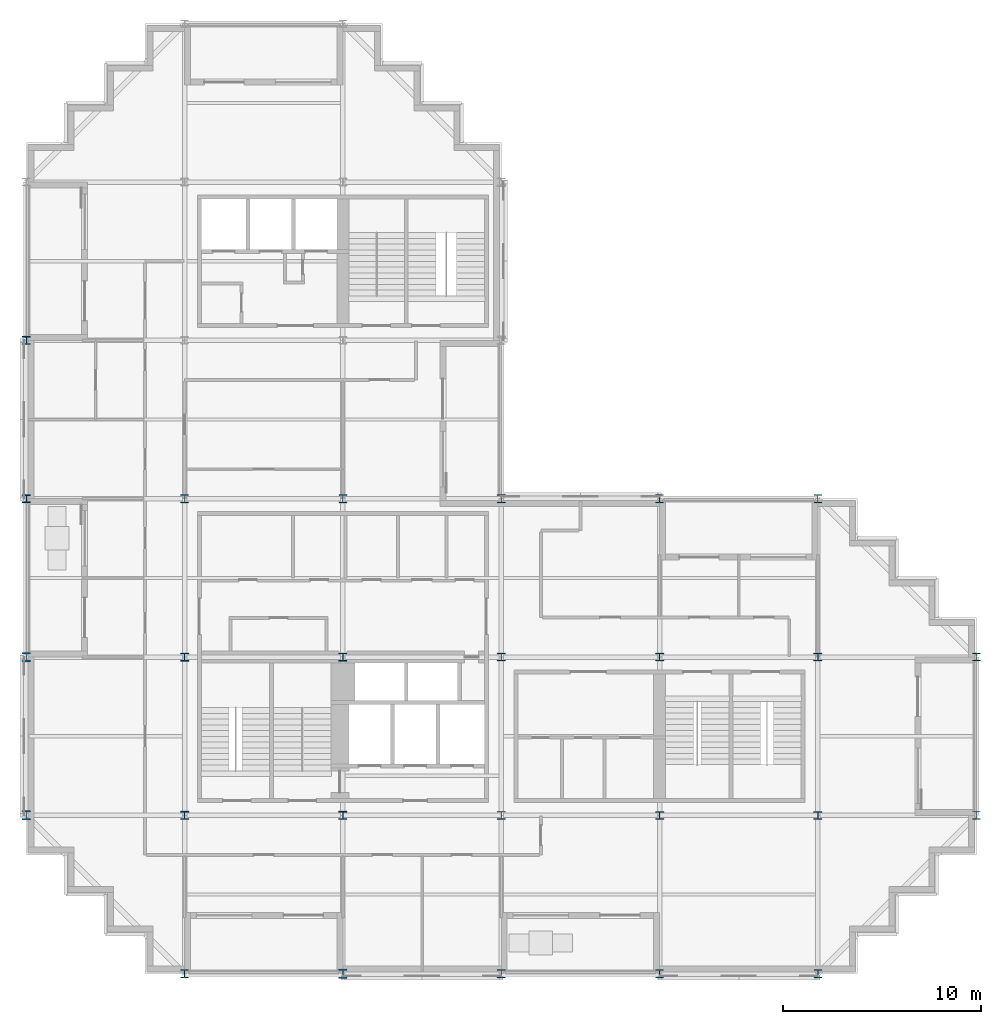
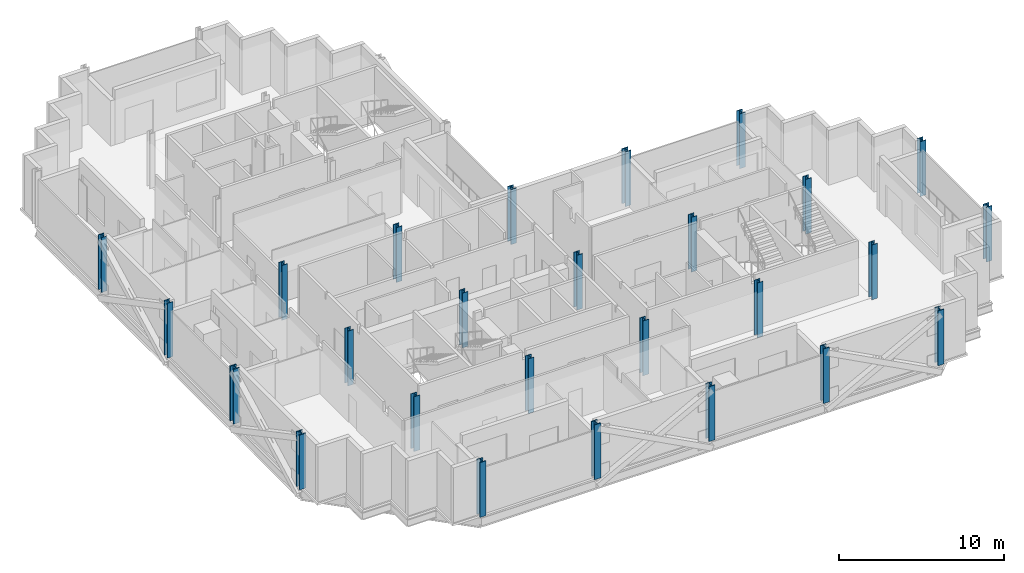
# One storey, part 1 of 12: 26 columns.
"""IFC4 building model written with IfcOpenShell, lengths in metres."""

from ifc_helpers import new_model, si_unit, direction, frame, origin, origin_2d, place, context, subcontext, project, spatial, i_section, extrude, material, material_profile, profile_set, type_object, element, save


model = new_model("IFC4")

# Units and contexts
model_context = context("Model", 3, precision=1e-05, world=origin(), true_north=direction((0.0, 1.0)))
body_context = subcontext(model_context, "Body", "Model", "MODEL_VIEW")
ifc_project = project(units=[si_unit("LENGTHUNIT", "METRE"), si_unit("AREAUNIT", "SQUARE_METRE"), si_unit("VOLUMEUNIT", "CUBIC_METRE"), si_unit("PLANEANGLEUNIT", "RADIAN"), si_unit("MASSUNIT", "GRAM", prefix="KILO")], contexts=[model_context])

# Site, building, storey
site_placement = place(None, origin())
site = spatial("IfcSite", under=ifc_project, at=site_placement, CompositionType="ELEMENT")
building_placement = place(site_placement, origin())
building = spatial("IfcBuilding", under=site, at=building_placement, Name="Immortelle Media Tower", CompositionType="ELEMENT")
storey_placement = place(building_placement, frame((0.0, 0.0, 149.39990234375)))
storey = spatial("IfcBuildingStorey", under=building, at=storey_placement, Name="L30", CompositionType="ELEMENT", Elevation=149.39990234375)

# Columns
ifc_material = material(Name="Steel ASTM A992 Gr 50", Category="steel")
ifc_material_profile_1 = material_profile(ifc_material, i_section(OverallWidth=0.39892578125, OverallDepth=0.385986328125, WebThickness=0.02099609375, FlangeThickness=0.032958984375, at=origin_2d()), Name="W14x176")
ifc_profile_set_1 = profile_set([ifc_material_profile_1], Name="Steel ASTM A992 Gr 50")
column_type_1 = type_object("IfcColumnType", Name="W14x176 column", PredefinedType="COLUMN", material=ifc_profile_set_1)
for number, where, z_axis, x_axis, name in (
    (1, (32.0, 8.0, 0.0), (0.0, 0.0, 1.0), (1.0, 0.0, 0.0), "Column 5/B"),
    (2, (32.0, 16.0, 0.0), (0.0, 0.0, 1.0), (1.0, 0.0, 0.0), "Column 5/C"),
    (3, (40.0, 8.0, 0.0), (0.0, 0.0, 1.0), (1.0, 0.0, 0.0), "Column 6/B"),
    (4, (40.0, 16.0, 0.0), (0.0, 0.0, 1.0), (1.0, 0.0, 0.0), "Column 6/C"),
):
    element("IfcColumn", number, at=place(storey_placement, frame(where, z_axis=z_axis, x_axis=x_axis)), inside=storey, type_object=column_type_1, Name=name, PredefinedType="COLUMN", context=body_context, shape_type="SweptSolid", body=[
        extrude(i_section(OverallWidth=0.39892578125, OverallDepth=0.385986328125, WebThickness=0.02099609375, FlangeThickness=0.032958984375, at=origin_2d()), origin(), (0.0, 0.0, 1.0), 4.050048828125),
    ])
ifc_material_profile_2 = material_profile(ifc_material, i_section(OverallWidth=0.40087890625, OverallDepth=0.39892578125, WebThickness=0.02490234375, FlangeThickness=0.0400390625, at=origin_2d()), Name="W14x211")
ifc_profile_set_2 = profile_set([ifc_material_profile_2], Name="Steel ASTM A992 Gr 50")
column_type_2 = type_object("IfcColumnType", Name="W14x211 column", PredefinedType="COLUMN", material=ifc_profile_set_2)
for number, where, z_axis, x_axis, name in (
    (5, (0.0, 24.0, 0.0), (0.0, 0.0, 1.0), (1.0, 0.0, 0.0), "Column 1/D"),
    (6, (0.0, 32.0, 0.0), (0.0, 0.0, 1.0), (1.0, 0.0, 0.0), "Column 1/E"),
    (7, (8.0, 8.0, 0.0), (0.0, 0.0, 1.0), (1.0, 0.0, 0.0), "Column 2/B"),
    (8, (8.0, 16.0, 0.0), (0.0, 0.0, 1.0), (1.0, 0.0, 0.0), "Column 2/C"),
    (9, (16.0, 8.0, 0.0), (0.0, 0.0, 1.0), (1.0, 0.0, 0.0), "Column 3/B"),
    (10, (16.0, 16.0, 0.0), (0.0, 0.0, 1.0), (1.0, 0.0, 0.0), "Column 3/C"),
):
    element("IfcColumn", number, at=place(storey_placement, frame(where, z_axis=z_axis, x_axis=x_axis)), inside=storey, type_object=column_type_2, Name=name, PredefinedType="COLUMN", context=body_context, shape_type="SweptSolid", body=[
        extrude(i_section(OverallWidth=0.40087890625, OverallDepth=0.39892578125, WebThickness=0.02490234375, FlangeThickness=0.0400390625, at=origin_2d()), origin(), (0.0, 0.0, 1.0), 4.050048828125),
    ])
ifc_material_profile_3 = material_profile(ifc_material, i_section(OverallWidth=0.406005859375, OverallDepth=0.4169921875, WebThickness=0.030029296875, FlangeThickness=0.048095703125, at=origin_2d()), Name="W14x257")
ifc_profile_set_3 = profile_set([ifc_material_profile_3], Name="Steel ASTM A992 Gr 50")
column_type_3 = type_object("IfcColumnType", Name="W14x257 column", PredefinedType="COLUMN", material=ifc_profile_set_3)
for number, where, z_axis, x_axis, name in (
    (11, (8.0, 24.0, 0.0), (0.0, 0.0, 1.0), (1.0, 0.0, 0.0), "Column 2/D"),
    (12, (16.0, 24.0, 0.0), (0.0, 0.0, 1.0), (1.0, 0.0, 0.0), "Column 3/D"),
    (13, (24.0, 8.0, 0.0), (0.0, 0.0, 1.0), (1.0, 0.0, 0.0), "Column 4/B"),
    (14, (24.0, 16.0, 0.0), (0.0, 0.0, 1.0), (1.0, 0.0, 0.0), "Column 4/C"),
    (15, (40.0, 24.0, 0.0), (0.0, 0.0, 1.0), (1.0, 0.0, 0.0), "Column 6/D"),
    (16, (48.0, 8.0, 0.0), (0.0, 0.0, 1.0), (1.0, 0.0, 0.0), "Column 7/B"),
    (17, (48.0, 16.0, 0.0), (0.0, 0.0, 1.0), (1.0, 0.0, 0.0), "Column 7/C"),
):
    element("IfcColumn", number, at=place(storey_placement, frame(where, z_axis=z_axis, x_axis=x_axis)), inside=storey, type_object=column_type_3, Name=name, PredefinedType="COLUMN", context=body_context, shape_type="SweptSolid", body=[
        extrude(i_section(OverallWidth=0.406005859375, OverallDepth=0.4169921875, WebThickness=0.030029296875, FlangeThickness=0.048095703125, at=origin_2d()), origin(), (0.0, 0.0, 1.0), 4.050048828125),
    ])
ifc_material_profile_4 = material_profile(ifc_material, i_section(OverallWidth=0.410888671875, OverallDepth=0.43408203125, WebThickness=0.035888671875, FlangeThickness=0.056884765625, at=origin_2d()), Name="W14x311")
ifc_profile_set_4 = profile_set([ifc_material_profile_4], Name="Steel ASTM A992 Gr 50")
column_type_4 = type_object("IfcColumnType", Name="W14x311 column", PredefinedType="COLUMN", material=ifc_profile_set_4)
for number, where, z_axis, x_axis, name in (
    (18, (8.0, 0.0, 0.0), (0.0, 0.0, 1.0), (1.0, 0.0, 0.0), "Column 2/A"),
    (19, (24.0, 0.0, 0.0), (0.0, 0.0, 1.0), (1.0, 0.0, 0.0), "Column 4/A"),
    (20, (24.0, 24.0, 0.0), (0.0, 0.0, 1.0), (1.0, 0.0, 0.0), "Column 4/D"),
    (21, (32.0, 0.0, 0.0), (0.0, 0.0, 1.0), (1.0, 0.0, 0.0), "Column 5/A"),
    (22, (32.0, 24.0, 0.0), (0.0, 0.0, 1.0), (1.0, 0.0, 0.0), "Column 5/D"),
    (23, (40.0, 0.0, 0.0), (0.0, 0.0, 1.0), (1.0, 0.0, 0.0), "Column 6/A"),
):
    element("IfcColumn", number, at=place(storey_placement, frame(where, z_axis=z_axis, x_axis=x_axis)), inside=storey, type_object=column_type_4, Name=name, PredefinedType="COLUMN", context=body_context, shape_type="SweptSolid", body=[
        extrude(i_section(OverallWidth=0.410888671875, OverallDepth=0.43408203125, WebThickness=0.035888671875, FlangeThickness=0.056884765625, at=origin_2d()), origin(), (0.0, 0.0, 1.0), 4.050048828125),
    ])
ifc_material_profile_5 = material_profile(ifc_material, i_section(OverallWidth=0.424072265625, OverallDepth=0.47509765625, WebThickness=0.048095703125, FlangeThickness=0.076904296875, at=origin_2d()), Name="W14x426")
ifc_profile_set_5 = profile_set([ifc_material_profile_5], Name="Steel ASTM A992 Gr 50")
column_type_5 = type_object("IfcColumnType", Name="W14x426 column", PredefinedType="COLUMN", material=ifc_profile_set_5)
for number, where, z_axis, x_axis, name in (
    (24, (0.0, 8.0, 0.0), (0.0, 0.0, 1.0), (1.0, 0.0, 0.0), "Column 1/B"),
    (25, (0.0, 16.0, 0.0), (0.0, 0.0, 1.0), (1.0, 0.0, 0.0), "Column 1/C"),
    (26, (16.0, 0.0, 0.0), (0.0, 0.0, 1.0), (1.0, 0.0, 0.0), "Column 3/A"),
):
    element("IfcColumn", number, at=place(storey_placement, frame(where, z_axis=z_axis, x_axis=x_axis)), inside=storey, type_object=column_type_5, Name=name, PredefinedType="COLUMN", context=body_context, shape_type="SweptSolid", body=[
        extrude(i_section(OverallWidth=0.424072265625, OverallDepth=0.47509765625, WebThickness=0.048095703125, FlangeThickness=0.076904296875, at=origin_2d()), origin(), (0.0, 0.0, 1.0), 4.050048828125),
    ])

save(model, "model.ifc")
